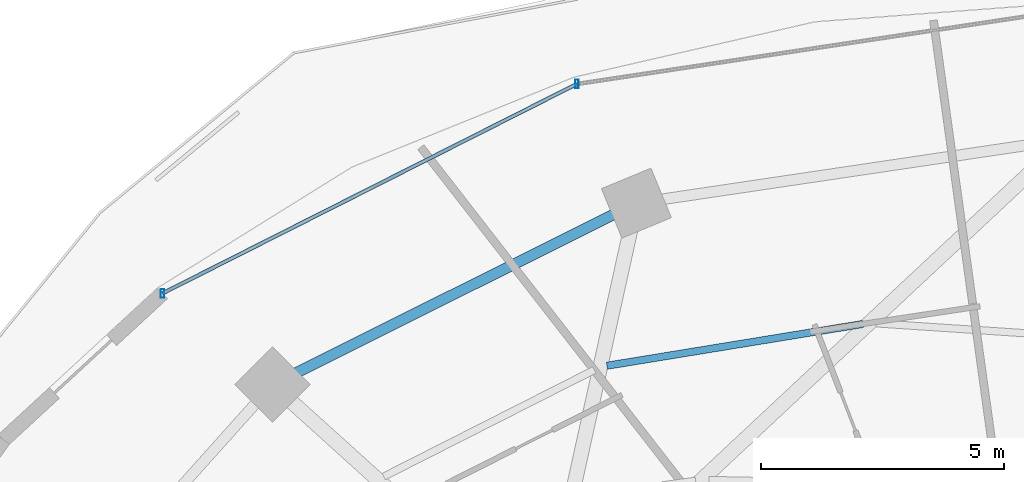
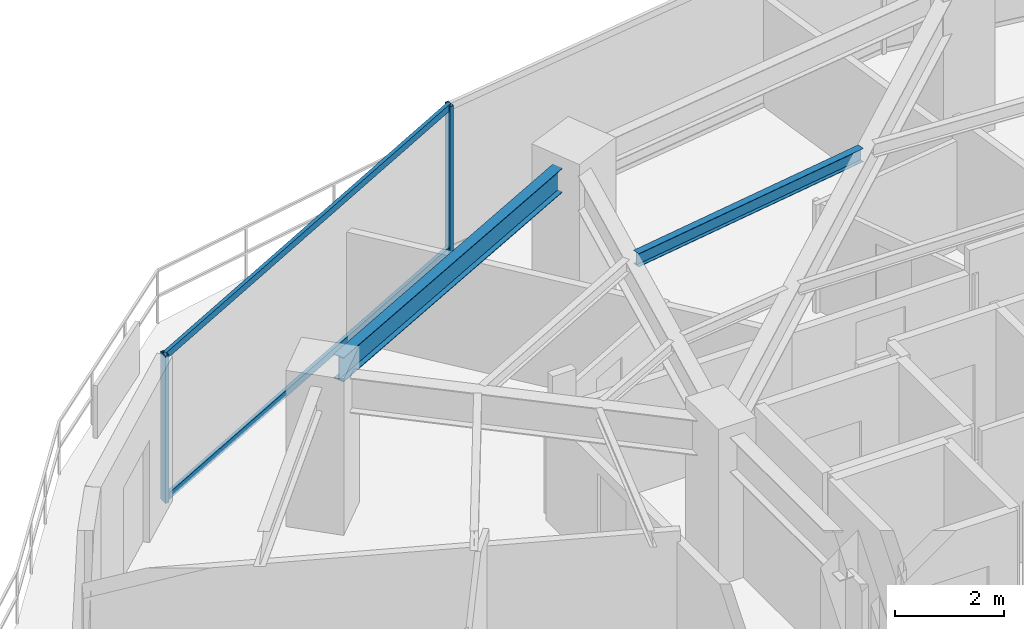
# One storey, part 16 of 30: 4 members, 2 beams, 1 element without a shape of its own.
"""IFC4 building model written with IfcOpenShell, lengths in metres."""

from ifc_helpers import new_model, si_unit, direction, frame, origin, origin_2d, place, context, subcontext, project, spatial, hollow_rectangle, i_section, extrude, material, material_profile, profile_set, type_object, element, aggregate, save


model = new_model("IFC4")

# Units and contexts
model_context = context("Model", 3, precision=1e-05, world=origin(), true_north=direction((0.0, 1.0)))
body_context = subcontext(model_context, "Body", "Model", "MODEL_VIEW")
ifc_project = project(units=[si_unit("LENGTHUNIT", "METRE"), si_unit("AREAUNIT", "SQUARE_METRE"), si_unit("VOLUMEUNIT", "CUBIC_METRE"), si_unit("PLANEANGLEUNIT", "RADIAN"), si_unit("MASSUNIT", "GRAM", prefix="KILO")], contexts=[model_context])

# Site, building, storey
site_placement = place(None, origin())
site = spatial("IfcSite", under=ifc_project, at=site_placement, CompositionType="ELEMENT")
building_placement = place(site_placement, origin())
building = spatial("IfcBuilding", under=site, at=building_placement, Name="Vorneva Point Tower", CompositionType="ELEMENT")
storey_placement = place(building_placement, frame((0.0, 0.0, 89.300048828125)))
storey = spatial("IfcBuildingStorey", under=building, at=storey_placement, Name="L23", CompositionType="ELEMENT", Elevation=89.300048828125)

# Beams
ifc_material_1 = material(Name="Steel S355", Category="steel")
ifc_material_profile_1 = material_profile(ifc_material_1, i_section(OverallWidth=0.14892578125, OverallDepth=0.298095703125, WebThickness=0.005615234375, FlangeThickness=0.008056640625, at=origin_2d()), Name="30B1")
ifc_profile_set_1 = profile_set([ifc_material_profile_1], Name="Steel S355")
beam_type_1 = type_object("IfcBeamType", Name="BM-JST-30B1", PredefinedType="JOIST", material=ifc_profile_set_1)
beam_1_placement = place(storey_placement, frame((33.831787109375, 39.408203125, 3.091064453125), z_axis=(-0.986930947591, -0.161143739214, 0.0), x_axis=(0.161143739214, -0.986930947591, 0.0)))
element("IfcBeam", 1, at=beam_1_placement, inside=storey, type_object=beam_type_1, Name="L23 Secondary Floor Beam 1.05", PredefinedType="JOIST", context=body_context, shape_type="SweptSolid", body=[
    extrude(i_section(OverallWidth=0.14892578125, OverallDepth=0.298095703125, WebThickness=0.005615234375, FlangeThickness=0.008056640625, at=origin_2d()), origin(), (0.0, 0.0, 1.0), 5.328369140625),
])
ifc_material_profile_2 = material_profile(ifc_material_1, i_section(OverallWidth=0.219970703125, OverallDepth=0.54296875, WebThickness=0.009521484375, FlangeThickness=0.013427734375, at=origin_2d()), Name="55B1")
ifc_profile_set_2 = profile_set([ifc_material_profile_2], Name="Steel S355")
beam_type_2 = type_object("IfcBeamType", Name="BM-SPN-55B1", PredefinedType="SPANDREL", material=ifc_profile_set_2)
beam_2_placement = place(storey_placement, frame((28.7001953125, 41.652099609375, 2.968505859375), z_axis=(-0.894915882304, -0.446234874926, 0.0), x_axis=(0.446234874926, -0.894915882304, 0.0)))
element("IfcBeam", 2, at=beam_2_placement, inside=storey, type_object=beam_type_2, Name="L23 Perimeter Spandrel Ring Beam 06", PredefinedType="SPANDREL", context=body_context, shape_type="SweptSolid", body=[
    extrude(i_section(OverallWidth=0.219970703125, OverallDepth=0.54296875, WebThickness=0.009521484375, FlangeThickness=0.013427734375, at=origin_2d()), origin(), (0.0, 0.0, 1.0), 7.285888671875),
])

# Curtain wall, members
ifc_material_2 = material(Name="Pale anodised aluminium", Category="aluminium")
curtain_wall_type = type_object("IfcCurtainWallType", Name="CW-HTL-SYS", PredefinedType="NOTDEFINED", material=ifc_material_2)
curtain_wall_placement = place(storey_placement, origin())
curtain_wall = element("IfcCurtainWall", 3, at=curtain_wall_placement, inside=storey, type_object=curtain_wall_type, Name="L23 Unitised Curtain Wall CW-L23-R02", PredefinedType="NOTDEFINED")
ifc_material_profile_3 = material_profile(ifc_material_2, hollow_rectangle(XDim=0.074951171875, YDim=0.179931640625, WallThickness=0.00390625, at=origin_2d()), Name="AL-MUL 180x75x4")
ifc_profile_set_3 = profile_set([ifc_material_profile_3], Name="Pale anodised aluminium")
member_type_1 = type_object("IfcMemberType", Name="CW-MUL-180", PredefinedType="MULLION", material=ifc_profile_set_3)
member_1_placement = place(storey_placement, frame((27.95458984375, 44.339111328125, -0.0400390625), z_axis=(0.0, 0.0, 1.0), x_axis=(1.0, 0.0, 0.0)))
member_1 = element("IfcMember", 4, at=member_1_placement, type_object=member_type_1, Name="CW-L23-R02 Mullion 04", PredefinedType="MULLION", context=body_context, shape_type="SweptSolid", body=[
    extrude(hollow_rectangle(XDim=0.074951171875, YDim=0.179931640625, WallThickness=0.00390625, at=origin_2d()), origin(), (0.0, 0.0, 1.0), 3.31005859375),
])
member_2_placement = place(storey_placement, frame((19.4384765625, 40.0361328125, -0.0400390625), z_axis=(0.0, 0.0, 1.0), x_axis=(1.0, 0.0, 0.0)))
member_2 = element("IfcMember", 5, at=member_2_placement, type_object=member_type_1, Name="CW-L23-R02 Mullion 05", PredefinedType="MULLION", context=body_context, shape_type="SweptSolid", body=[
    extrude(hollow_rectangle(XDim=0.074951171875, YDim=0.179931640625, WallThickness=0.00390625, at=origin_2d()), origin(), (0.0, 0.0, 1.0), 3.31005859375),
])
ifc_material_profile_4 = material_profile(ifc_material_2, hollow_rectangle(XDim=0.074951171875, YDim=0.14990234375, WallThickness=0.00390625, at=origin_2d()), Name="AL-TRN 150x75x4")
ifc_profile_set_4 = profile_set([ifc_material_profile_4], Name="Pale anodised aluminium")
member_type_2 = type_object("IfcMemberType", Name="CW-TRN-150", PredefinedType="USERDEFINED", material=ifc_profile_set_4)
member_3_placement = place(storey_placement, frame((27.95458984375, 44.339111328125, 0.02001953125), z_axis=(-0.892536035732, -0.450976080207, 0.0), x_axis=(0.450976080207, -0.892536035732, 0.0)))
member_3 = element("IfcMember", 6, at=member_3_placement, type_object=member_type_2, Name="CW-L23-R02 Transom 04.1", ObjectType="TRANSOM", PredefinedType="USERDEFINED", context=body_context, shape_type="SweptSolid", body=[
    extrude(hollow_rectangle(XDim=0.074951171875, YDim=0.14990234375, WallThickness=0.00390625, at=origin_2d()), origin(), (0.0, 0.0, 1.0), 9.54150390625),
])
member_4_placement = place(storey_placement, frame((27.95458984375, 44.339111328125, 3.219970703125), z_axis=(-0.892536035732, -0.450976080207, 0.0), x_axis=(0.450976080207, -0.892536035732, 0.0)))
member_4 = element("IfcMember", 7, at=member_4_placement, type_object=member_type_2, Name="CW-L23-R02 Transom 04.2", ObjectType="TRANSOM", PredefinedType="USERDEFINED", context=body_context, shape_type="SweptSolid", body=[
    extrude(hollow_rectangle(XDim=0.074951171875, YDim=0.14990234375, WallThickness=0.00390625, at=origin_2d()), origin(), (0.0, 0.0, 1.0), 9.54150390625),
])
aggregate(curtain_wall, [member_1, member_2, member_3, member_4])

save(model, "model.ifc")
